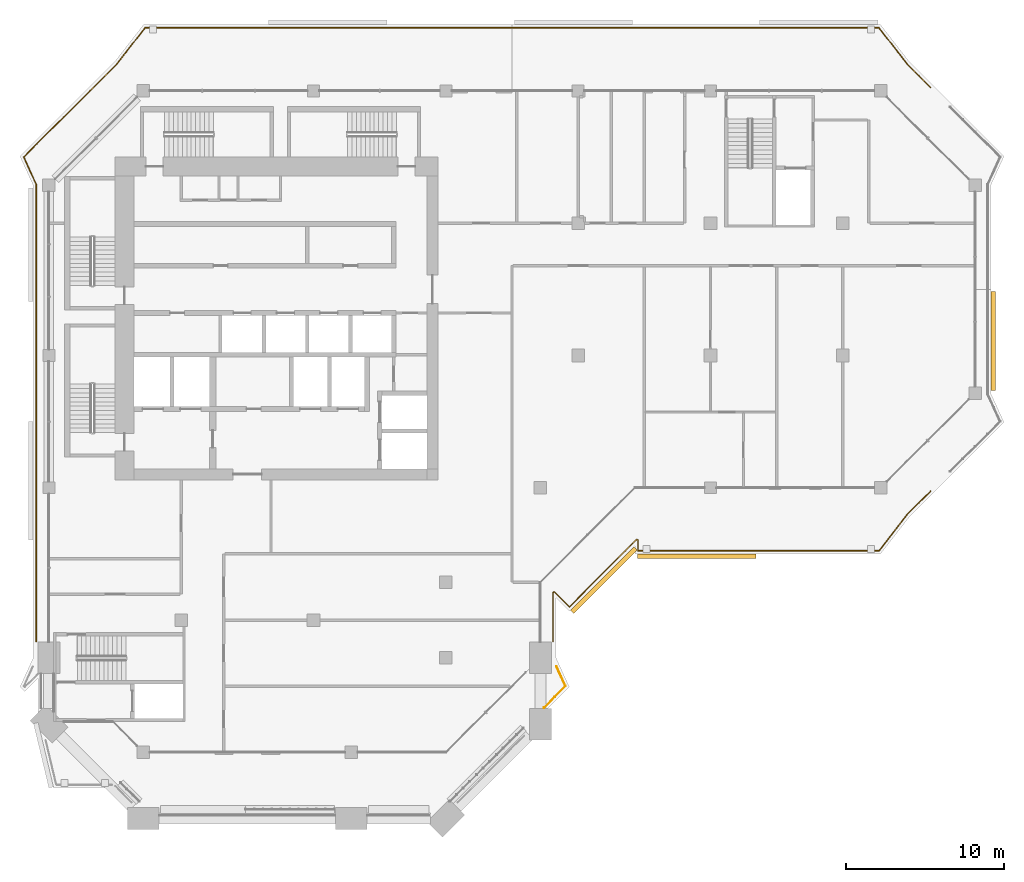
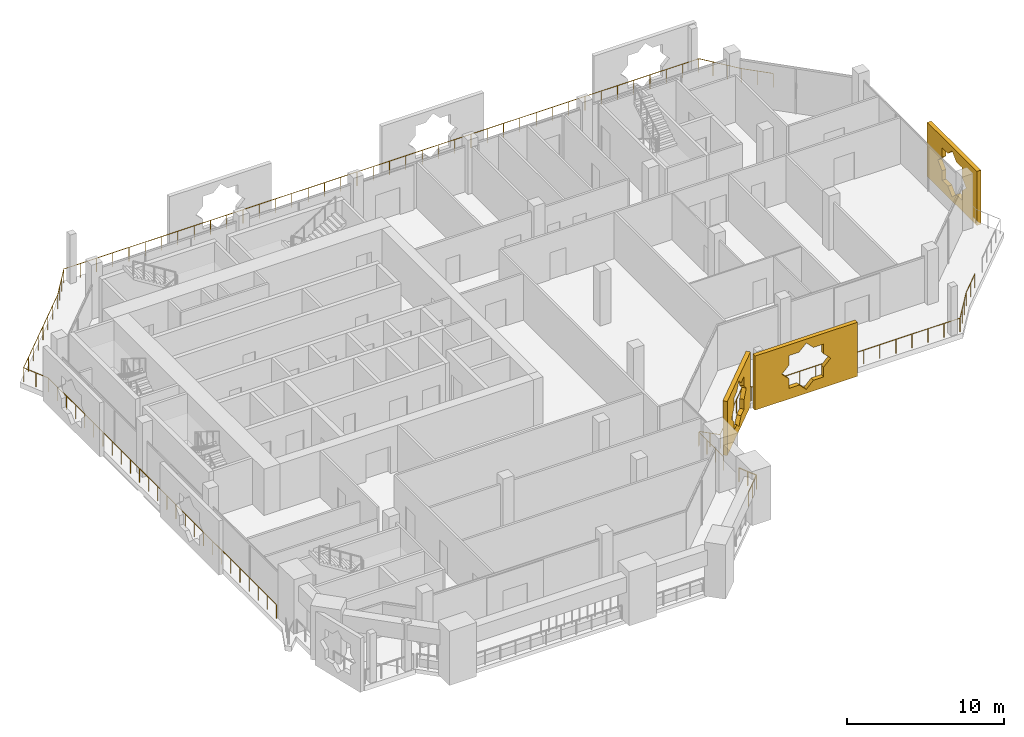
# One storey, part 17 of 20: 3 coverings, 3 railings.
"""IFC4 building model written with IfcOpenShell, lengths in metres."""

from ifc_helpers import new_model, si_unit, direction, frame, origin, origin_2d, place, context, subcontext, project, spatial, polyline, circle, outline, extrude, material, material_profile, profile_set, type_object, element, save


model = new_model("IFC4")

# Units and contexts
model_context = context("Model", 3, precision=1e-05, world=origin(), true_north=direction((0.0, 1.0)))
body_context = subcontext(model_context, "Body", "Model", "MODEL_VIEW")
ifc_project = project(units=[si_unit("LENGTHUNIT", "METRE"), si_unit("AREAUNIT", "SQUARE_METRE"), si_unit("VOLUMEUNIT", "CUBIC_METRE"), si_unit("PLANEANGLEUNIT", "RADIAN"), si_unit("MASSUNIT", "GRAM", prefix="KILO")], contexts=[model_context])

# Site, building, storey
site_placement = place(None, origin())
site = spatial("IfcSite", under=ifc_project, at=site_placement, CompositionType="ELEMENT")
building_placement = place(site_placement, origin())
building = spatial("IfcBuilding", under=site, at=building_placement, Name="Kawkab Arch Medical Tower", CompositionType="ELEMENT")
storey_placement = place(building_placement, frame((0.0, 0.0, 290.199951171875)))
storey = spatial("IfcBuildingStorey", under=building, at=storey_placement, Name="L67", CompositionType="ELEMENT", Elevation=290.199951171875)

# Railings
ifc_material_1 = material(Name="Bronze anodised aluminium guard", Category="aluminium")
railing_type = type_object("IfcRailingType", Name="Loggia and terrace guard 1100", PredefinedType="GUARDRAIL", material=ifc_material_1)
railing_1_placement = place(storey_placement, frame((-0.800048828125, -34.969970703125, 0.0)))
element("IfcRailing", 1, at=railing_1_placement, inside=storey, type_object=railing_type, Name="Guard L67.LOG-01.1.4", PredefinedType="GUARDRAIL", context=body_context, shape_type="SweptSolid", body=[
    extrude(circle(Radius=0.02392578125, at=origin_2d()), frame((0.0, 0.0, 1.076171875), z_axis=(0.0, 1.0, 0.0), x_axis=(-1.0, 0.0, 0.0)), (0.0, 0.0, 1.0), 29.012939453125),
    extrude(circle(Radius=0.02392578125, at=origin_2d()), frame((0.0, 29.012939453125, 1.076171875), z_axis=(-0.414452581809, 0.910070907914, 0.0), x_axis=(-0.910070907914, -0.414452581809, 0.0)), (0.0, 0.0, 1.0), 1.925048828125),
    extrude(circle(Radius=0.02392578125, at=origin_2d()), frame((-0.7978515625, 30.764892578125, 1.076171875), z_axis=(0.707092175918, 0.707121386154, 0.0), x_axis=(-0.707121386154, 0.707092175918, 0.0)), (0.0, 0.0, 1.0), 8.358154296875),
    extrude(circle(Radius=0.02392578125, at=origin_2d()), frame((5.112060546875, 36.675048828125, 1.076171875), z_axis=(0.614144026922, 0.789193964876, 0.0), x_axis=(-0.789193964876, 0.614144026922, 0.0)), (0.0, 0.0, 1.0), 2.907958984375),
    extrude(circle(Radius=0.02392578125, at=origin_2d()), frame((6.89794921875, 38.969970703125, 1.076171875), z_axis=(1.0, 0.0, 0.0), x_axis=(0.0, 1.0, 0.0)), (0.0, 0.0, 1.0), 46.60400390625),
    extrude(circle(Radius=0.02392578125, at=origin_2d()), frame((53.501953125, 38.969970703125, 1.076171875), z_axis=(0.614196313452, -0.789153273162, 0.0), x_axis=(0.789153273162, 0.614196313452, 0.0)), (0.0, 0.0, 1.0), 2.908203125),
    extrude(circle(Radius=0.02392578125, at=origin_2d()), frame((55.2880859375, 36.675048828125, 1.076171875), z_axis=(0.707048537558, -0.707165020018, 0.0), x_axis=(0.707165020018, 0.707048537558, 0.0)), (0.0, 0.0, 1.0), 2.095947265625),
    extrude(circle(Radius=0.02099609375, at=origin_2d()), origin(), (0.0, 0.0, 1.0), 1.052001953125),
    extrude(circle(Radius=0.02099609375, at=origin_2d()), frame((0.0, 1.160400390625, 0.0)), (0.0, 0.0, 1.0), 1.052001953125),
    extrude(circle(Radius=0.02099609375, at=origin_2d()), frame((0.0, 2.321044921875, 0.0)), (0.0, 0.0, 1.0), 1.052001953125),
    extrude(circle(Radius=0.02099609375, at=origin_2d()), frame((0.0, 3.4814453125, 0.0)), (0.0, 0.0, 1.0), 1.052001953125),
    extrude(circle(Radius=0.02099609375, at=origin_2d()), frame((0.0, 4.64208984375, 0.0)), (0.0, 0.0, 1.0), 1.052001953125),
    extrude(circle(Radius=0.02099609375, at=origin_2d()), frame((0.0, 5.802490234375, 0.0)), (0.0, 0.0, 1.0), 1.052001953125),
    extrude(circle(Radius=0.02099609375, at=origin_2d()), frame((0.0, 6.963134765625, 0.0)), (0.0, 0.0, 1.0), 1.052001953125),
    extrude(circle(Radius=0.02099609375, at=origin_2d()), frame((0.0, 8.12353515625, 0.0)), (0.0, 0.0, 1.0), 1.052001953125),
    extrude(circle(Radius=0.02099609375, at=origin_2d()), frame((0.0, 9.2841796875, 0.0)), (0.0, 0.0, 1.0), 1.052001953125),
    extrude(circle(Radius=0.02099609375, at=origin_2d()), frame((0.0, 10.444580078125, 0.0)), (0.0, 0.0, 1.0), 1.052001953125),
    extrude(circle(Radius=0.02099609375, at=origin_2d()), frame((0.0, 11.605224609375, 0.0)), (0.0, 0.0, 1.0), 1.052001953125),
    extrude(circle(Radius=0.02099609375, at=origin_2d()), frame((0.0, 12.765625, 0.0)), (0.0, 0.0, 1.0), 1.052001953125),
    extrude(circle(Radius=0.02099609375, at=origin_2d()), frame((0.0, 13.92626953125, 0.0)), (0.0, 0.0, 1.0), 1.052001953125),
    extrude(circle(Radius=0.02099609375, at=origin_2d()), frame((0.0, 15.086669921875, 0.0)), (0.0, 0.0, 1.0), 1.052001953125),
    extrude(circle(Radius=0.02099609375, at=origin_2d()), frame((0.0, 16.247314453125, 0.0)), (0.0, 0.0, 1.0), 1.052001953125),
    extrude(circle(Radius=0.02099609375, at=origin_2d()), frame((0.0, 17.40771484375, 0.0)), (0.0, 0.0, 1.0), 1.052001953125),
    extrude(circle(Radius=0.02099609375, at=origin_2d()), frame((0.0, 18.568359375, 0.0)), (0.0, 0.0, 1.0), 1.052001953125),
    extrude(circle(Radius=0.02099609375, at=origin_2d()), frame((0.0, 19.728759765625, 0.0)), (0.0, 0.0, 1.0), 1.052001953125),
    extrude(circle(Radius=0.02099609375, at=origin_2d()), frame((0.0, 20.889404296875, 0.0)), (0.0, 0.0, 1.0), 1.052001953125),
    extrude(circle(Radius=0.02099609375, at=origin_2d()), frame((0.0, 22.0498046875, 0.0)), (0.0, 0.0, 1.0), 1.052001953125),
    extrude(circle(Radius=0.02099609375, at=origin_2d()), frame((0.0, 23.21044921875, 0.0)), (0.0, 0.0, 1.0), 1.052001953125),
    extrude(circle(Radius=0.02099609375, at=origin_2d()), frame((0.0, 24.370849609375, 0.0)), (0.0, 0.0, 1.0), 1.052001953125),
    extrude(circle(Radius=0.02099609375, at=origin_2d()), frame((0.0, 25.531494140625, 0.0)), (0.0, 0.0, 1.0), 1.052001953125),
    extrude(circle(Radius=0.02099609375, at=origin_2d()), frame((0.0, 26.69189453125, 0.0)), (0.0, 0.0, 1.0), 1.052001953125),
    extrude(circle(Radius=0.02099609375, at=origin_2d()), frame((0.0, 27.8525390625, 0.0)), (0.0, 0.0, 1.0), 1.052001953125),
    extrude(circle(Radius=0.02099609375, at=origin_2d()), frame((0.0, 29.012939453125, 0.0)), (0.0, 0.0, 1.0), 1.052001953125),
    extrude(circle(Radius=0.02099609375, at=origin_2d()), frame((-0.39892578125, 29.888916015625, 0.0)), (0.0, 0.0, 1.0), 1.052001953125),
    extrude(circle(Radius=0.02099609375, at=origin_2d()), frame((-0.7978515625, 30.764892578125, 0.0)), (0.0, 0.0, 1.0), 1.052001953125),
    extrude(circle(Radius=0.02099609375, at=origin_2d()), frame((0.04638671875, 31.609130859375, 0.0)), (0.0, 0.0, 1.0), 1.052001953125),
    extrude(circle(Radius=0.02099609375, at=origin_2d()), frame((0.890625, 32.45361328125, 0.0)), (0.0, 0.0, 1.0), 1.052001953125),
    extrude(circle(Radius=0.02099609375, at=origin_2d()), frame((1.73486328125, 33.2978515625, 0.0)), (0.0, 0.0, 1.0), 1.052001953125),
    extrude(circle(Radius=0.02099609375, at=origin_2d()), frame((2.579345703125, 34.14208984375, 0.0)), (0.0, 0.0, 1.0), 1.052001953125),
    extrude(circle(Radius=0.02099609375, at=origin_2d()), frame((3.423583984375, 34.986328125, 0.0)), (0.0, 0.0, 1.0), 1.052001953125),
    extrude(circle(Radius=0.02099609375, at=origin_2d()), frame((4.267822265625, 35.830810546875, 0.0)), (0.0, 0.0, 1.0), 1.052001953125),
    extrude(circle(Radius=0.02099609375, at=origin_2d()), frame((5.112060546875, 36.675048828125, 0.0)), (0.0, 0.0, 1.0), 1.052001953125),
    extrude(circle(Radius=0.02099609375, at=origin_2d()), frame((5.707275390625, 37.43994140625, 0.0)), (0.0, 0.0, 1.0), 1.052001953125),
    extrude(circle(Radius=0.02099609375, at=origin_2d()), frame((6.302734375, 38.205078125, 0.0)), (0.0, 0.0, 1.0), 1.052001953125),
    extrude(circle(Radius=0.02099609375, at=origin_2d()), frame((6.89794921875, 38.969970703125, 0.0)), (0.0, 0.0, 1.0), 1.052001953125),
    extrude(circle(Radius=0.02099609375, at=origin_2d()), frame((8.093017578125, 38.969970703125, 0.0)), (0.0, 0.0, 1.0), 1.052001953125),
    extrude(circle(Radius=0.02099609375, at=origin_2d()), frame((9.287841796875, 38.969970703125, 0.0)), (0.0, 0.0, 1.0), 1.052001953125),
    extrude(circle(Radius=0.02099609375, at=origin_2d()), frame((10.48291015625, 38.969970703125, 0.0)), (0.0, 0.0, 1.0), 1.052001953125),
    extrude(circle(Radius=0.02099609375, at=origin_2d()), frame((11.677734375, 38.969970703125, 0.0)), (0.0, 0.0, 1.0), 1.052001953125),
    extrude(circle(Radius=0.02099609375, at=origin_2d()), frame((12.872802734375, 38.969970703125, 0.0)), (0.0, 0.0, 1.0), 1.052001953125),
    extrude(circle(Radius=0.02099609375, at=origin_2d()), frame((14.06787109375, 38.969970703125, 0.0)), (0.0, 0.0, 1.0), 1.052001953125),
    extrude(circle(Radius=0.02099609375, at=origin_2d()), frame((15.2626953125, 38.969970703125, 0.0)), (0.0, 0.0, 1.0), 1.052001953125),
    extrude(circle(Radius=0.02099609375, at=origin_2d()), frame((16.457763671875, 38.969970703125, 0.0)), (0.0, 0.0, 1.0), 1.052001953125),
    extrude(circle(Radius=0.02099609375, at=origin_2d()), frame((17.65283203125, 38.969970703125, 0.0)), (0.0, 0.0, 1.0), 1.052001953125),
    extrude(circle(Radius=0.02099609375, at=origin_2d()), frame((18.84765625, 38.969970703125, 0.0)), (0.0, 0.0, 1.0), 1.052001953125),
    extrude(circle(Radius=0.02099609375, at=origin_2d()), frame((20.042724609375, 38.969970703125, 0.0)), (0.0, 0.0, 1.0), 1.052001953125),
    extrude(circle(Radius=0.02099609375, at=origin_2d()), frame((21.237548828125, 38.969970703125, 0.0)), (0.0, 0.0, 1.0), 1.052001953125),
    extrude(circle(Radius=0.02099609375, at=origin_2d()), frame((22.4326171875, 38.969970703125, 0.0)), (0.0, 0.0, 1.0), 1.052001953125),
    extrude(circle(Radius=0.02099609375, at=origin_2d()), frame((23.627685546875, 38.969970703125, 0.0)), (0.0, 0.0, 1.0), 1.052001953125),
    extrude(circle(Radius=0.02099609375, at=origin_2d()), frame((24.822509765625, 38.969970703125, 0.0)), (0.0, 0.0, 1.0), 1.052001953125),
    extrude(circle(Radius=0.02099609375, at=origin_2d()), frame((26.017578125, 38.969970703125, 0.0)), (0.0, 0.0, 1.0), 1.052001953125),
    extrude(circle(Radius=0.02099609375, at=origin_2d()), frame((27.21240234375, 38.969970703125, 0.0)), (0.0, 0.0, 1.0), 1.052001953125),
    extrude(circle(Radius=0.02099609375, at=origin_2d()), frame((28.407470703125, 38.969970703125, 0.0)), (0.0, 0.0, 1.0), 1.052001953125),
    extrude(circle(Radius=0.02099609375, at=origin_2d()), frame((29.6025390625, 38.969970703125, 0.0)), (0.0, 0.0, 1.0), 1.052001953125),
    extrude(circle(Radius=0.02099609375, at=origin_2d()), frame((30.79736328125, 38.969970703125, 0.0)), (0.0, 0.0, 1.0), 1.052001953125),
    extrude(circle(Radius=0.02099609375, at=origin_2d()), frame((31.992431640625, 38.969970703125, 0.0)), (0.0, 0.0, 1.0), 1.052001953125),
    extrude(circle(Radius=0.02099609375, at=origin_2d()), frame((33.1875, 38.969970703125, 0.0)), (0.0, 0.0, 1.0), 1.052001953125),
    extrude(circle(Radius=0.02099609375, at=origin_2d()), frame((34.38232421875, 38.969970703125, 0.0)), (0.0, 0.0, 1.0), 1.052001953125),
    extrude(circle(Radius=0.02099609375, at=origin_2d()), frame((35.577392578125, 38.969970703125, 0.0)), (0.0, 0.0, 1.0), 1.052001953125),
    extrude(circle(Radius=0.02099609375, at=origin_2d()), frame((36.772216796875, 38.969970703125, 0.0)), (0.0, 0.0, 1.0), 1.052001953125),
    extrude(circle(Radius=0.02099609375, at=origin_2d()), frame((37.96728515625, 38.969970703125, 0.0)), (0.0, 0.0, 1.0), 1.052001953125),
    extrude(circle(Radius=0.02099609375, at=origin_2d()), frame((39.162353515625, 38.969970703125, 0.0)), (0.0, 0.0, 1.0), 1.052001953125),
    extrude(circle(Radius=0.02099609375, at=origin_2d()), frame((40.357177734375, 38.969970703125, 0.0)), (0.0, 0.0, 1.0), 1.052001953125),
    extrude(circle(Radius=0.02099609375, at=origin_2d()), frame((41.55224609375, 38.969970703125, 0.0)), (0.0, 0.0, 1.0), 1.052001953125),
    extrude(circle(Radius=0.02099609375, at=origin_2d()), frame((42.7470703125, 38.969970703125, 0.0)), (0.0, 0.0, 1.0), 1.052001953125),
    extrude(circle(Radius=0.02099609375, at=origin_2d()), frame((43.942138671875, 38.969970703125, 0.0)), (0.0, 0.0, 1.0), 1.052001953125),
    extrude(circle(Radius=0.02099609375, at=origin_2d()), frame((45.13720703125, 38.969970703125, 0.0)), (0.0, 0.0, 1.0), 1.052001953125),
    extrude(circle(Radius=0.02099609375, at=origin_2d()), frame((46.33203125, 38.969970703125, 0.0)), (0.0, 0.0, 1.0), 1.052001953125),
    extrude(circle(Radius=0.02099609375, at=origin_2d()), frame((47.527099609375, 38.969970703125, 0.0)), (0.0, 0.0, 1.0), 1.052001953125),
    extrude(circle(Radius=0.02099609375, at=origin_2d()), frame((48.72216796875, 38.969970703125, 0.0)), (0.0, 0.0, 1.0), 1.052001953125),
    extrude(circle(Radius=0.02099609375, at=origin_2d()), frame((49.9169921875, 38.969970703125, 0.0)), (0.0, 0.0, 1.0), 1.052001953125),
    extrude(circle(Radius=0.02099609375, at=origin_2d()), frame((51.112060546875, 38.969970703125, 0.0)), (0.0, 0.0, 1.0), 1.052001953125),
    extrude(circle(Radius=0.02099609375, at=origin_2d()), frame((52.306884765625, 38.969970703125, 0.0)), (0.0, 0.0, 1.0), 1.052001953125),
    extrude(circle(Radius=0.02099609375, at=origin_2d()), frame((53.501953125, 38.969970703125, 0.0)), (0.0, 0.0, 1.0), 1.052001953125),
    extrude(circle(Radius=0.02099609375, at=origin_2d()), frame((54.097412109375, 38.205078125, 0.0)), (0.0, 0.0, 1.0), 1.052001953125),
    extrude(circle(Radius=0.02099609375, at=origin_2d()), frame((54.692626953125, 37.43994140625, 0.0)), (0.0, 0.0, 1.0), 1.052001953125),
    extrude(circle(Radius=0.02099609375, at=origin_2d()), frame((55.2880859375, 36.675048828125, 0.0)), (0.0, 0.0, 1.0), 1.052001953125),
    extrude(circle(Radius=0.02099609375, at=origin_2d()), frame((56.029052734375, 35.93408203125, 0.0)), (0.0, 0.0, 1.0), 1.052001953125),
    extrude(circle(Radius=0.02099609375, at=origin_2d()), frame((56.77001953125, 35.19287109375, 0.0)), (0.0, 0.0, 1.0), 1.052001953125),
])
railing_2_placement = place(storey_placement, frame((55.969970703125, -25.423095703125, 0.0)))
element("IfcRailing", 2, at=railing_2_placement, inside=storey, type_object=railing_type, Name="Guard L67.LOG-01.1.6", PredefinedType="GUARDRAIL", context=body_context, shape_type="SweptSolid", body=[
    extrude(circle(Radius=0.02392578125, at=origin_2d()), frame((0.0, 0.0, 1.076171875), z_axis=(-0.707106781187, -0.707106781187, 0.0), x_axis=(0.707106781187, -0.707106781187, 0.0)), (0.0, 0.0, 1.0), 2.095703125),
    extrude(circle(Radius=0.02392578125, at=origin_2d()), frame((-1.48193359375, -1.48193359375, 1.076171875), z_axis=(-0.614196313452, -0.789153273162, 0.0), x_axis=(0.789153273162, -0.614196313452, 0.0)), (0.0, 0.0, 1.0), 2.908203125),
    extrude(circle(Radius=0.02392578125, at=origin_2d()), frame((-3.26806640625, -3.77685546875, 1.076171875), z_axis=(-1.0, 0.0, 0.0), x_axis=(0.0, -1.0, 0.0)), (0.0, 0.0, 1.0), 15.302001953125),
    extrude(circle(Radius=0.02392578125, at=origin_2d()), frame((-18.570068359375, -3.77685546875, 1.076171875), z_axis=(0.0, 1.0, 0.0), x_axis=(-1.0, 0.0, 0.0)), (0.0, 0.0, 1.0), 0.6728515625),
    extrude(circle(Radius=0.02392578125, at=origin_2d()), frame((-18.570068359375, -3.10400390625, 1.076171875), z_axis=(-0.923431341387, 0.383763674343, 0.0), x_axis=(-0.383763674343, -0.923431341387, 0.0)), (0.0, 0.0, 1.0), 0.101806640625),
    extrude(circle(Radius=0.02392578125, at=origin_2d()), frame((-18.6640625, -3.06494140625, 1.076171875), z_axis=(-0.707187685852, -0.707025867263, 0.0), x_axis=(0.707025867263, -0.707187685852, 0.0)), (0.0, 0.0, 1.0), 6.034912109375),
    extrude(circle(Radius=0.02392578125, at=origin_2d()), frame((-22.931884765625, -7.331787109375, 1.076171875), z_axis=(-0.707198215437, 0.707015335112, 0.0), x_axis=(-0.707015335112, -0.707198215437, 0.0)), (0.0, 0.0, 1.0), 1.3349609375),
    extrude(circle(Radius=0.02392578125, at=origin_2d()), frame((-23.8759765625, -6.387939453125, 1.076171875), z_axis=(-0.923431341387, -0.383763674343, 0.0), x_axis=(0.383763674343, -0.923431341387, 0.0)), (0.0, 0.0, 1.0), 0.101806640625),
    extrude(circle(Radius=0.02392578125, at=origin_2d()), frame((-23.969970703125, -6.427001953125, 1.076171875), z_axis=(0.0, -1.0, 0.0), x_axis=(1.0, 0.0, 0.0)), (0.0, 0.0, 1.0), 3.119873046875),
    extrude(circle(Radius=0.02099609375, at=origin_2d()), origin(), (0.0, 0.0, 1.0), 1.052001953125),
    extrude(circle(Radius=0.02099609375, at=origin_2d()), frame((-0.740966796875, -0.740966796875, 0.0)), (0.0, 0.0, 1.0), 1.052001953125),
    extrude(circle(Radius=0.02099609375, at=origin_2d()), frame((-1.48193359375, -1.48193359375, 0.0)), (0.0, 0.0, 1.0), 1.052001953125),
    extrude(circle(Radius=0.02099609375, at=origin_2d()), frame((-2.077392578125, -2.246826171875, 0.0)), (0.0, 0.0, 1.0), 1.052001953125),
    extrude(circle(Radius=0.02099609375, at=origin_2d()), frame((-2.672607421875, -3.011962890625, 0.0)), (0.0, 0.0, 1.0), 1.052001953125),
    extrude(circle(Radius=0.02099609375, at=origin_2d()), frame((-3.26806640625, -3.77685546875, 0.0)), (0.0, 0.0, 1.0), 1.052001953125),
    extrude(circle(Radius=0.02099609375, at=origin_2d()), frame((-4.445068359375, -3.77685546875, 0.0)), (0.0, 0.0, 1.0), 1.052001953125),
    extrude(circle(Radius=0.02099609375, at=origin_2d()), frame((-5.622314453125, -3.77685546875, 0.0)), (0.0, 0.0, 1.0), 1.052001953125),
    extrude(circle(Radius=0.02099609375, at=origin_2d()), frame((-6.79931640625, -3.77685546875, 0.0)), (0.0, 0.0, 1.0), 1.052001953125),
    extrude(circle(Radius=0.02099609375, at=origin_2d()), frame((-7.976318359375, -3.77685546875, 0.0)), (0.0, 0.0, 1.0), 1.052001953125),
    extrude(circle(Radius=0.02099609375, at=origin_2d()), frame((-9.153564453125, -3.77685546875, 0.0)), (0.0, 0.0, 1.0), 1.052001953125),
    extrude(circle(Radius=0.02099609375, at=origin_2d()), frame((-10.33056640625, -3.77685546875, 0.0)), (0.0, 0.0, 1.0), 1.052001953125),
    extrude(circle(Radius=0.02099609375, at=origin_2d()), frame((-11.507568359375, -3.77685546875, 0.0)), (0.0, 0.0, 1.0), 1.052001953125),
    extrude(circle(Radius=0.02099609375, at=origin_2d()), frame((-12.6845703125, -3.77685546875, 0.0)), (0.0, 0.0, 1.0), 1.052001953125),
    extrude(circle(Radius=0.02099609375, at=origin_2d()), frame((-13.86181640625, -3.77685546875, 0.0)), (0.0, 0.0, 1.0), 1.052001953125),
    extrude(circle(Radius=0.02099609375, at=origin_2d()), frame((-15.038818359375, -3.77685546875, 0.0)), (0.0, 0.0, 1.0), 1.052001953125),
    extrude(circle(Radius=0.02099609375, at=origin_2d()), frame((-16.2158203125, -3.77685546875, 0.0)), (0.0, 0.0, 1.0), 1.052001953125),
    extrude(circle(Radius=0.02099609375, at=origin_2d()), frame((-17.39306640625, -3.77685546875, 0.0)), (0.0, 0.0, 1.0), 1.052001953125),
    extrude(circle(Radius=0.02099609375, at=origin_2d()), frame((-18.570068359375, -3.77685546875, 0.0)), (0.0, 0.0, 1.0), 1.052001953125),
    extrude(circle(Radius=0.02099609375, at=origin_2d()), frame((-18.570068359375, -3.10400390625, 0.0)), (0.0, 0.0, 1.0), 1.052001953125),
    extrude(circle(Radius=0.02099609375, at=origin_2d()), frame((-18.6640625, -3.06494140625, 0.0)), (0.0, 0.0, 1.0), 1.052001953125),
    extrude(circle(Radius=0.02099609375, at=origin_2d()), frame((-19.37548828125, -3.776123046875, 0.0)), (0.0, 0.0, 1.0), 1.052001953125),
    extrude(circle(Radius=0.02099609375, at=origin_2d()), frame((-20.086669921875, -4.4873046875, 0.0)), (0.0, 0.0, 1.0), 1.052001953125),
    extrude(circle(Radius=0.02099609375, at=origin_2d()), frame((-20.7978515625, -5.1982421875, 0.0)), (0.0, 0.0, 1.0), 1.052001953125),
    extrude(circle(Radius=0.02099609375, at=origin_2d()), frame((-21.50927734375, -5.909423828125, 0.0)), (0.0, 0.0, 1.0), 1.052001953125),
    extrude(circle(Radius=0.02099609375, at=origin_2d()), frame((-22.220703125, -6.62060546875, 0.0)), (0.0, 0.0, 1.0), 1.052001953125),
    extrude(circle(Radius=0.02099609375, at=origin_2d()), frame((-22.931884765625, -7.331787109375, 0.0)), (0.0, 0.0, 1.0), 1.052001953125),
    extrude(circle(Radius=0.02099609375, at=origin_2d()), frame((-23.40380859375, -6.85986328125, 0.0)), (0.0, 0.0, 1.0), 1.052001953125),
    extrude(circle(Radius=0.02099609375, at=origin_2d()), frame((-23.8759765625, -6.387939453125, 0.0)), (0.0, 0.0, 1.0), 1.052001953125),
    extrude(circle(Radius=0.02099609375, at=origin_2d()), frame((-23.969970703125, -6.427001953125, 0.0)), (0.0, 0.0, 1.0), 1.052001953125),
    extrude(circle(Radius=0.02099609375, at=origin_2d()), frame((-23.969970703125, -7.467041015625, 0.0)), (0.0, 0.0, 1.0), 1.052001953125),
    extrude(circle(Radius=0.02099609375, at=origin_2d()), frame((-23.969970703125, -8.5068359375, 0.0)), (0.0, 0.0, 1.0), 1.052001953125),
    extrude(circle(Radius=0.02099609375, at=origin_2d()), frame((-23.969970703125, -9.546875, 0.0)), (0.0, 0.0, 1.0), 1.052001953125),
])
railing_3_placement = place(storey_placement, frame((32.22998046875, -36.548095703125, 0.0)))
element("IfcRailing", 3, at=railing_3_placement, inside=storey, type_object=railing_type, Name="Guard L67.LOG-01.1.7", PredefinedType="GUARDRAIL", context=body_context, shape_type="SweptSolid", body=[
    extrude(circle(Radius=0.02392578125, at=origin_2d()), frame((0.0, 0.0, 1.076171875), z_axis=(0.4146351122, -0.909987760209, 0.0), x_axis=(0.909987760209, 0.4146351122, 0.0)), (0.0, 0.0, 1.0), 1.3701171875),
    extrude(circle(Radius=0.02392578125, at=origin_2d()), frame((0.568115234375, -1.246826171875, 1.076171875), z_axis=(-0.706855544123, -0.707357929016, 0.0), x_axis=(0.707357929016, -0.706855544123, 0.0)), (0.0, 0.0, 1.0), 1.94384765625),
    extrude(circle(Radius=0.02099609375, at=origin_2d()), origin(), (0.0, 0.0, 1.0), 1.052001953125),
    extrude(circle(Radius=0.02099609375, at=origin_2d()), frame((0.2841796875, -0.62353515625, 0.0)), (0.0, 0.0, 1.0), 1.052001953125),
    extrude(circle(Radius=0.02099609375, at=origin_2d()), frame((0.568115234375, -1.246826171875, 0.0)), (0.0, 0.0, 1.0), 1.052001953125),
    extrude(circle(Radius=0.02099609375, at=origin_2d()), frame((-0.118896484375, -1.934326171875, 0.0)), (0.0, 0.0, 1.0), 1.052001953125),
    extrude(circle(Radius=0.02099609375, at=origin_2d()), frame((-0.805908203125, -2.621826171875, 0.0)), (0.0, 0.0, 1.0), 1.052001953125),
])

# Coverings
ifc_material_2 = material(Name="Bronze anodised aluminium mashrabiya panel, eight-point star pattern", Category="aluminium")
ifc_material_profile_1 = material_profile(ifc_material_2, outline(polyline([(-2.85009765625, -2.10009765625), (2.85009765625, -2.10009765625), (2.85009765625, 2.10009765625), (-2.85009765625, 2.10009765625), (-2.85009765625, -2.10009765625)]), holes=[polyline([(1.800048828125, 0.0), (1.272705078125, 0.527099609375), (1.272705078125, 1.272705078125), (0.527099609375, 1.272705078125), (0.0, 1.800048828125), (-0.527099609375, 1.272705078125), (-1.272705078125, 1.272705078125), (-1.272705078125, 0.527099609375), (-1.800048828125, 0.0), (-1.272705078125, -0.527099609375), (-1.272705078125, -1.272705078125), (-0.527099609375, -1.272705078125), (0.0, -1.800048828125), (0.527099609375, -1.272705078125), (1.272705078125, -1.272705078125), (1.272705078125, -0.527099609375), (1.800048828125, 0.0)])]), Name="Mashrabiya panel 5700x4200")
ifc_profile_set_1 = profile_set([ifc_material_profile_1], Name="Bronze anodised aluminium mashrabiya panel, eight-point star pattern")
covering_type_1 = type_object("IfcCoveringType", Name="Mashrabiya panel 5700 x 4200", PredefinedType="USERDEFINED", material=ifc_profile_set_1)
covering_1_placement = place(storey_placement, frame((35.128662109375, -30.94775390625, 1.699951171875), z_axis=(0.707106781187, -0.707106781187, 0.0), x_axis=(0.707106781187, 0.707106781187, 0.0)))
element("IfcCovering", 4, at=covering_1_placement, inside=storey, type_object=covering_type_1, Name="Mashrabiya panel L67.LOG-01-01.9", ObjectType="SCREEN", PredefinedType="USERDEFINED", context=body_context, shape_type="SweptSolid", body=[
    extrude(outline(polyline([(-2.85009765625, -2.10009765625), (2.85009765625, -2.10009765625), (2.85009765625, 2.10009765625), (-2.85009765625, 2.10009765625), (-2.85009765625, -2.10009765625)]), holes=[polyline([(1.800048828125, 0.0), (1.272705078125, 0.527099609375), (1.272705078125, 1.272705078125), (0.527099609375, 1.272705078125), (0.0, 1.800048828125), (-0.527099609375, 1.272705078125), (-1.272705078125, 1.272705078125), (-1.272705078125, 0.527099609375), (-1.800048828125, 0.0), (-1.272705078125, -0.527099609375), (-1.272705078125, -1.272705078125), (-0.527099609375, -1.272705078125), (0.0, -1.800048828125), (0.527099609375, -1.272705078125), (1.272705078125, -1.272705078125), (1.272705078125, -0.527099609375), (1.800048828125, 0.0)])]), origin(), (0.0, 0.0, 1.0), 0.300048828125),
])
ifc_material_3 = material(Name="Bronze anodised aluminium mashrabiya panel, eight-point star pattern", Category="aluminium")
ifc_material_profile_2 = material_profile(ifc_material_3, outline(polyline([(-3.14990234375, -2.10009765625), (3.14990234375, -2.10009765625), (3.14990234375, 2.10009765625), (-3.14990234375, 2.10009765625), (-3.14990234375, -2.10009765625)]), holes=[polyline([(1.800048828125, 0.0), (1.272705078125, 0.527099609375), (1.272705078125, 1.272705078125), (0.527099609375, 1.272705078125), (0.0, 1.800048828125), (-0.527099609375, 1.272705078125), (-1.272705078125, 1.272705078125), (-1.272705078125, 0.527099609375), (-1.800048828125, 0.0), (-1.272705078125, -0.527099609375), (-1.272705078125, -1.272705078125), (-0.527099609375, -1.272705078125), (0.0, -1.800048828125), (0.527099609375, -1.272705078125), (1.272705078125, -1.272705078125), (1.272705078125, -0.527099609375), (1.800048828125, 0.0)])]), Name="Mashrabiya panel 6300x4200")
ifc_profile_set_2 = profile_set([ifc_material_profile_2], Name="Bronze anodised aluminium mashrabiya panel, eight-point star pattern")
covering_type_2 = type_object("IfcCoveringType", Name="Mashrabiya panel 6300 x 4200", PredefinedType="USERDEFINED", material=ifc_profile_set_2)
covering_2_placement = place(storey_placement, frame((59.800048828125, -15.881103515625, 1.699951171875), z_axis=(1.0, 0.0, 0.0), x_axis=(0.0, 1.0, 0.0)))
element("IfcCovering", 5, at=covering_2_placement, inside=storey, type_object=covering_type_2, Name="Mashrabiya panel L67.LOG-01-01.7", ObjectType="SCREEN", PredefinedType="USERDEFINED", context=body_context, shape_type="SweptSolid", body=[
    extrude(outline(polyline([(-3.14990234375, -2.10009765625), (3.14990234375, -2.10009765625), (3.14990234375, 2.10009765625), (-3.14990234375, 2.10009765625), (-3.14990234375, -2.10009765625)]), holes=[polyline([(1.800048828125, 0.0), (1.272705078125, 0.527099609375), (1.272705078125, 1.272705078125), (0.527099609375, 1.272705078125), (0.0, 1.800048828125), (-0.527099609375, 1.272705078125), (-1.272705078125, 1.272705078125), (-1.272705078125, 0.527099609375), (-1.800048828125, 0.0), (-1.272705078125, -0.527099609375), (-1.272705078125, -1.272705078125), (-0.527099609375, -1.272705078125), (0.0, -1.800048828125), (0.527099609375, -1.272705078125), (1.272705078125, -1.272705078125), (1.272705078125, -0.527099609375), (1.800048828125, 0.0)])]), origin(), (0.0, 0.0, 1.0), 0.300048828125),
])
ifc_material_4 = material(Name="Bronze anodised aluminium mashrabiya panel, eight-point star pattern", Category="aluminium")
ifc_material_profile_3 = material_profile(ifc_material_4, outline(polyline([(-3.75, -2.10009765625), (3.75, -2.10009765625), (3.75, 2.10009765625), (-3.75, 2.10009765625), (-3.75, -2.10009765625)]), holes=[polyline([(1.800048828125, 0.0), (1.272705078125, 0.527099609375), (1.272705078125, 1.272705078125), (0.527099609375, 1.272705078125), (0.0, 1.800048828125), (-0.527099609375, 1.272705078125), (-1.272705078125, 1.272705078125), (-1.272705078125, 0.527099609375), (-1.800048828125, 0.0), (-1.272705078125, -0.527099609375), (-1.272705078125, -1.272705078125), (-0.527099609375, -1.272705078125), (0.0, -1.800048828125), (0.527099609375, -1.272705078125), (1.272705078125, -1.272705078125), (1.272705078125, -0.527099609375), (1.800048828125, 0.0)])]), Name="Mashrabiya panel 7500x4200")
ifc_profile_set_3 = profile_set([ifc_material_profile_3], Name="Bronze anodised aluminium mashrabiya panel, eight-point star pattern")
covering_type_3 = type_object("IfcCoveringType", Name="Mashrabiya panel 7500 x 4200", PredefinedType="USERDEFINED", material=ifc_profile_set_3)
covering_3_placement = place(storey_placement, frame((41.126220703125, -29.39990234375, 1.699951171875), z_axis=(0.0, -1.0, 0.0), x_axis=(1.0, 0.0, 0.0)))
element("IfcCovering", 6, at=covering_3_placement, inside=storey, type_object=covering_type_3, Name="Mashrabiya panel L67.LOG-01-01.8", ObjectType="SCREEN", PredefinedType="USERDEFINED", context=body_context, shape_type="SweptSolid", body=[
    extrude(outline(polyline([(-3.75, -2.10009765625), (3.75, -2.10009765625), (3.75, 2.10009765625), (-3.75, 2.10009765625), (-3.75, -2.10009765625)]), holes=[polyline([(1.800048828125, 0.0), (1.272705078125, 0.527099609375), (1.272705078125, 1.272705078125), (0.527099609375, 1.272705078125), (0.0, 1.800048828125), (-0.527099609375, 1.272705078125), (-1.272705078125, 1.272705078125), (-1.272705078125, 0.527099609375), (-1.800048828125, 0.0), (-1.272705078125, -0.527099609375), (-1.272705078125, -1.272705078125), (-0.527099609375, -1.272705078125), (0.0, -1.800048828125), (0.527099609375, -1.272705078125), (1.272705078125, -1.272705078125), (1.272705078125, -0.527099609375), (1.800048828125, 0.0)])]), origin(), (0.0, 0.0, 1.0), 0.300048828125),
])

save(model, "model.ifc")
